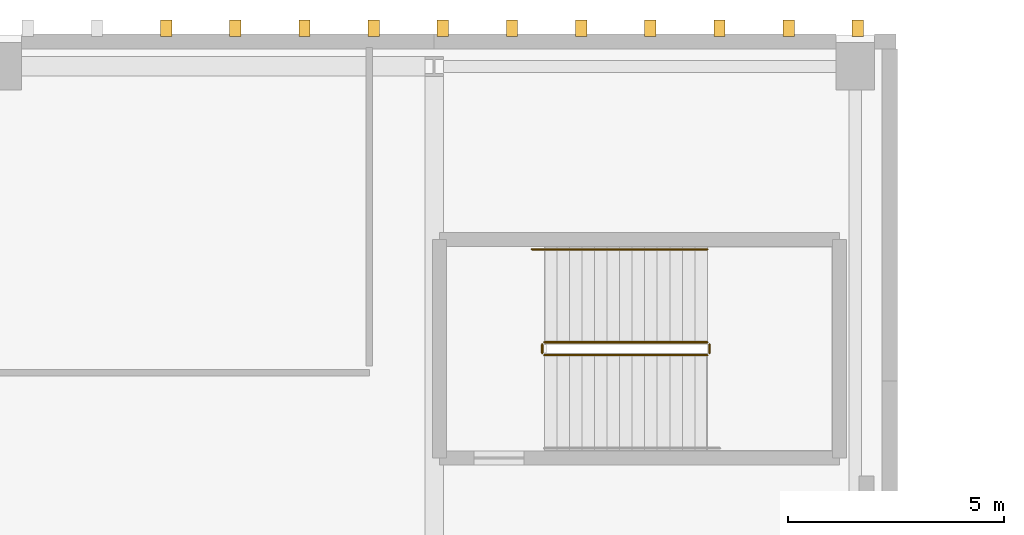
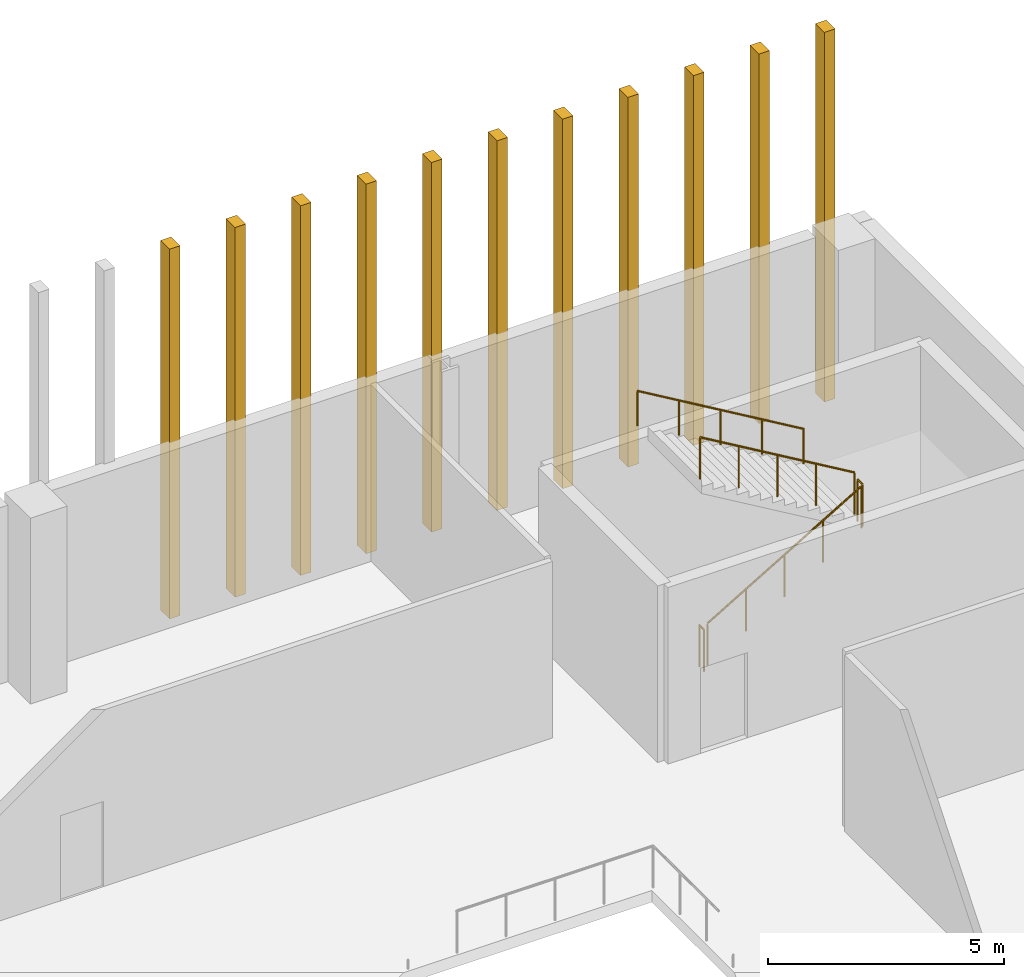
# One storey, part 30 of 30: 11 coverings, 5 railings.
"""IFC4 building model written with IfcOpenShell, lengths in metres."""

from ifc_helpers import new_model, si_unit, direction, frame, origin, origin_2d, place, context, subcontext, project, spatial, rectangle, circle, extrude, material, layer, layer_set, type_object, element, save


model = new_model("IFC4")

# Units and contexts
model_context = context("Model", 3, precision=1e-05, world=origin(), true_north=direction((0.0, 1.0)))
body_context = subcontext(model_context, "Body", "Model", "MODEL_VIEW")
ifc_project = project(units=[si_unit("LENGTHUNIT", "METRE"), si_unit("AREAUNIT", "SQUARE_METRE"), si_unit("VOLUMEUNIT", "CUBIC_METRE"), si_unit("PLANEANGLEUNIT", "RADIAN"), si_unit("MASSUNIT", "GRAM", prefix="KILO")], contexts=[model_context])

# Site, building, storey
site_placement = place(None, origin())
site = spatial("IfcSite", under=ifc_project, at=site_placement, CompositionType="ELEMENT")
building_placement = place(site_placement, origin())
building = spatial("IfcBuilding", under=site, at=building_placement, Name="Trimount Lyric Opera House", CompositionType="ELEMENT")
storey_placement = place(building_placement, frame((0.0, 0.0, 24.800048828125)))
storey = spatial("IfcBuildingStorey", under=building, at=storey_placement, Name="L05", CompositionType="ELEMENT", Elevation=24.800048828125)

# Coverings
ifc_material_1 = material(Name="Extruded Brushed Aluminium Vertical Shed Rib", Category="aluminium")
ifc_layer = layer(ifc_material_1, 0.260009765625)
ifc_layer_set = layer_set([ifc_layer], Name="CLD-RIB1")
covering_type = type_object("IfcCoveringType", Name="CLD-RIB1", PredefinedType="CLADDING", material=ifc_layer_set)
for number, where, z_axis, x_axis, name in (
    (1, (97.800048828125, 118.1650390625, 0.0), (0.0, 0.0, 1.0), (1.0, 0.0, 0.0), "Fly-tower north vertical cladding rib 230"),
    (2, (99.39990234375, 118.1650390625, 0.0), (0.0, 0.0, 1.0), (1.0, 0.0, 0.0), "Fly-tower north vertical cladding rib 235"),
    (3, (101.0, 118.1650390625, 0.0), (0.0, 0.0, 1.0), (1.0, 0.0, 0.0), "Fly-tower north vertical cladding rib 240"),
    (4, (102.60009765625, 118.1650390625, 0.0), (0.0, 0.0, 1.0), (1.0, 0.0, 0.0), "Fly-tower north vertical cladding rib 245"),
    (5, (104.199951171875, 118.1650390625, 0.0), (0.0, 0.0, 1.0), (1.0, 0.0, 0.0), "Fly-tower north vertical cladding rib 250"),
    (6, (105.800048828125, 118.1650390625, 0.0), (0.0, 0.0, 1.0), (1.0, 0.0, 0.0), "Fly-tower north vertical cladding rib 255"),
    (7, (107.39990234375, 118.1650390625, 0.0), (0.0, 0.0, 1.0), (1.0, 0.0, 0.0), "Fly-tower north vertical cladding rib 260"),
    (8, (109.0, 118.1650390625, 0.0), (0.0, 0.0, 1.0), (1.0, 0.0, 0.0), "Fly-tower north vertical cladding rib 265"),
    (9, (110.60009765625, 118.1650390625, 0.0), (0.0, 0.0, 1.0), (1.0, 0.0, 0.0), "Fly-tower north vertical cladding rib 270"),
    (10, (112.199951171875, 118.1650390625, 0.0), (0.0, 0.0, 1.0), (1.0, 0.0, 0.0), "Fly-tower north vertical cladding rib 275"),
    (11, (113.800048828125, 118.1650390625, 0.0), (0.0, 0.0, 1.0), (1.0, 0.0, 0.0), "Fly-tower north vertical cladding rib 280"),
):
    element("IfcCovering", number, at=place(storey_placement, frame(where, z_axis=z_axis, x_axis=x_axis)), inside=storey, type_object=covering_type, Name=name, PredefinedType="CLADDING", context=body_context, shape_type="SweptSolid", body=[
        extrude(rectangle(XDim=0.260009765625, YDim=0.3798828125, at=origin_2d()), origin(), (0.0, 0.0, 1.0), 9.550048828125),
    ])

# Railings
ifc_material_2 = material(Name="Brushed Stainless Steel 316", Category="steel")
railing_type_1 = type_object("IfcRailingType", Name="RL-GRD110", PredefinedType="GUARDRAIL", material=ifc_material_2)
railing_1_placement = place(storey_placement, frame((106.550048828125, 110.60009765625, 0.17138671875)))
element("IfcRailing", 12, at=railing_1_placement, inside=storey, type_object=railing_type_1, Name="L05 ST-02 stair guard 1", PredefinedType="GUARDRAIL", context=body_context, shape_type="SweptSolid", body=[
    extrude(circle(Radius=0.02392578125, at=origin_2d()), frame((0.0, 0.0, 1.076171875), z_axis=(0.860848830602, 0.0, 0.508860777473), x_axis=(0.0, 1.0, 0.0)), (0.0, 0.0, 1.0), 4.37939453125),
    extrude(circle(Radius=0.02099609375, at=origin_2d()), origin(), (0.0, 0.0, 1.0), 1.052001953125),
    extrude(circle(Radius=0.02099609375, at=origin_2d()), frame((0.9423828125, 0.0, 0.55712890625)), (0.0, 0.0, 1.0), 1.052001953125),
    extrude(circle(Radius=0.02099609375, at=origin_2d()), frame((1.885009765625, 0.0, 1.1142578125)), (0.0, 0.0, 1.0), 1.052001953125),
    extrude(circle(Radius=0.02099609375, at=origin_2d()), frame((2.82763671875, 0.0, 1.67138671875)), (0.0, 0.0, 1.0), 1.052001953125),
    extrude(circle(Radius=0.02099609375, at=origin_2d()), frame((3.77001953125, 0.0, 2.228515625)), (0.0, 0.0, 1.0), 1.052001953125),
])
railing_2_placement = place(storey_placement, frame((110.3701171875, 110.64990234375, 2.39990234375)))
element("IfcRailing", 13, at=railing_2_placement, inside=storey, type_object=railing_type_1, Name="L05 ST-02 stair guard 2", PredefinedType="GUARDRAIL", context=body_context, shape_type="SweptSolid", body=[
    extrude(circle(Radius=0.02392578125, at=origin_2d()), frame((0.0, 0.0, 1.076171875), z_axis=(0.0, 1.0, 0.0), x_axis=(-1.0, 0.0, 0.0)), (0.0, 0.0, 1.0), 0.2001953125),
    extrude(circle(Radius=0.02099609375, at=origin_2d()), origin(), (0.0, 0.0, 1.0), 1.052001953125),
    extrude(circle(Radius=0.02099609375, at=origin_2d()), frame((0.0, 0.2001953125, 0.0)), (0.0, 0.0, 1.0), 1.052001953125),
])
railing_3_placement = place(storey_placement, frame((110.320068359375, 110.89990234375, 2.5712890625)))
element("IfcRailing", 14, at=railing_3_placement, inside=storey, type_object=railing_type_1, Name="L05 ST-02 stair guard 3", PredefinedType="GUARDRAIL", context=body_context, shape_type="SweptSolid", body=[
    extrude(circle(Radius=0.02392578125, at=origin_2d()), frame((0.0, 0.0, 1.076171875), z_axis=(-0.860824410104, 0.0, 0.508902087802), x_axis=(0.0, -1.0, 0.0)), (0.0, 0.0, 1.0), 4.379638671875),
    extrude(circle(Radius=0.02099609375, at=origin_2d()), origin(), (0.0, 0.0, 1.0), 1.052001953125),
    extrude(circle(Radius=0.02099609375, at=origin_2d()), frame((-0.9423828125, 0.0, 0.55712890625)), (0.0, 0.0, 1.0), 1.052001953125),
    extrude(circle(Radius=0.02099609375, at=origin_2d()), frame((-1.885009765625, 0.0, 1.1142578125)), (0.0, 0.0, 1.0), 1.052001953125),
    extrude(circle(Radius=0.02099609375, at=origin_2d()), frame((-2.82763671875, 0.0, 1.671630859375)), (0.0, 0.0, 1.0), 1.052001953125),
    extrude(circle(Radius=0.02099609375, at=origin_2d()), frame((-3.77001953125, 0.0, 2.228759765625)), (0.0, 0.0, 1.0), 1.052001953125),
])
railing_4_placement = place(storey_placement, frame((106.5, 110.64990234375, 0.0)))
element("IfcRailing", 15, at=railing_4_placement, inside=storey, type_object=railing_type_1, Name="L05 ST-02 stair guard 4", PredefinedType="GUARDRAIL", context=body_context, shape_type="SweptSolid", body=[
    extrude(circle(Radius=0.02392578125, at=origin_2d()), frame((0.0, 0.0, 1.076171875), z_axis=(0.0, 1.0, 0.0), x_axis=(-1.0, 0.0, 0.0)), (0.0, 0.0, 1.0), 0.2001953125),
    extrude(circle(Radius=0.02099609375, at=origin_2d()), origin(), (0.0, 0.0, 1.0), 1.052001953125),
    extrude(circle(Radius=0.02099609375, at=origin_2d()), frame((0.0, 0.2001953125, 0.0)), (0.0, 0.0, 1.0), 1.052001953125),
])
ifc_material_3 = material(Name="Brushed Stainless Steel 316", Category="steel")
railing_type_2 = type_object("IfcRailingType", Name="RL-HND092", PredefinedType="HANDRAIL", material=ifc_material_3)
railing_5_placement = place(storey_placement, frame((110.320068359375, 113.050048828125, 2.5712890625)))
element("IfcRailing", 16, at=railing_5_placement, inside=storey, type_object=railing_type_2, Name="L05 ST-02 stair handrail 2", PredefinedType="HANDRAIL", context=body_context, shape_type="SweptSolid", body=[
    extrude(circle(Radius=0.0224609375, at=origin_2d()), frame((0.0, 0.0, 0.8974609375), z_axis=(-0.860536873083, 0.0, 0.509388152654), x_axis=(0.0, -1.0, 0.0)), (0.0, 0.0, 1.0), 4.718017578125),
    extrude(circle(Radius=0.02099609375, at=origin_2d()), origin(), (0.0, 0.0, 1.0), 0.875),
    extrude(circle(Radius=0.02099609375, at=origin_2d()), frame((-1.01513671875, 0.0, 0.600830078125)), (0.0, 0.0, 1.0), 0.875),
    extrude(circle(Radius=0.02099609375, at=origin_2d()), frame((-2.030029296875, 0.0, 1.20166015625)), (0.0, 0.0, 1.0), 0.875),
    extrude(circle(Radius=0.02099609375, at=origin_2d()), frame((-3.044921875, 0.0, 1.802490234375)), (0.0, 0.0, 1.0), 0.875),
    extrude(circle(Radius=0.02099609375, at=origin_2d()), frame((-4.06005859375, 0.0, 2.4033203125)), (0.0, 0.0, 1.0), 0.875),
])

save(model, "model.ifc")
